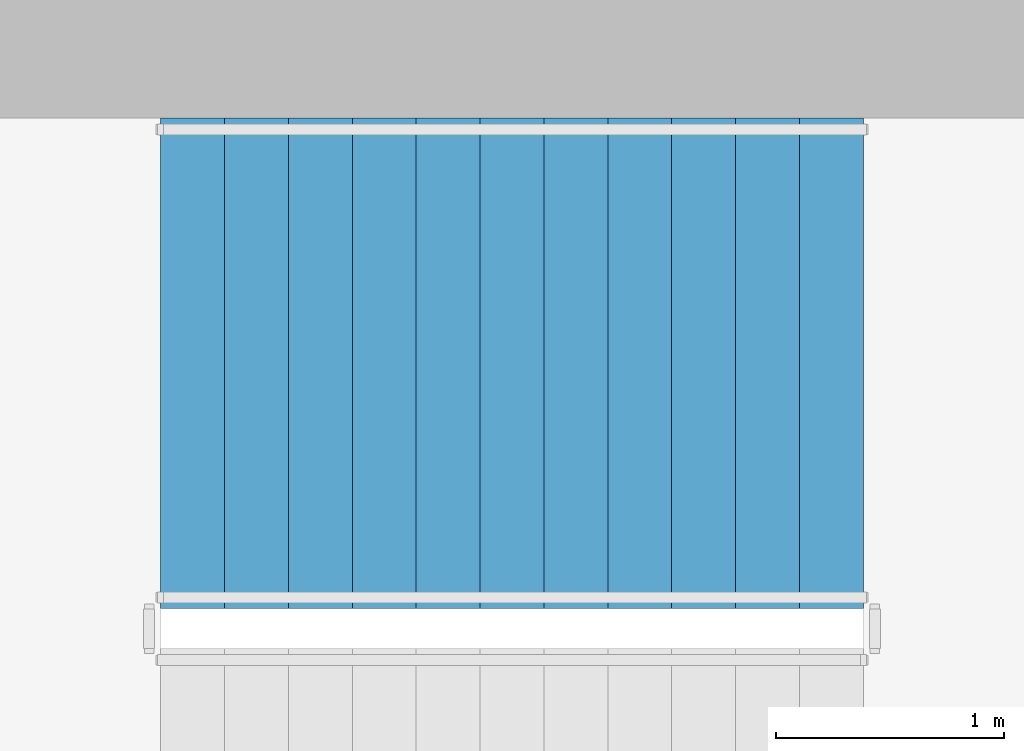
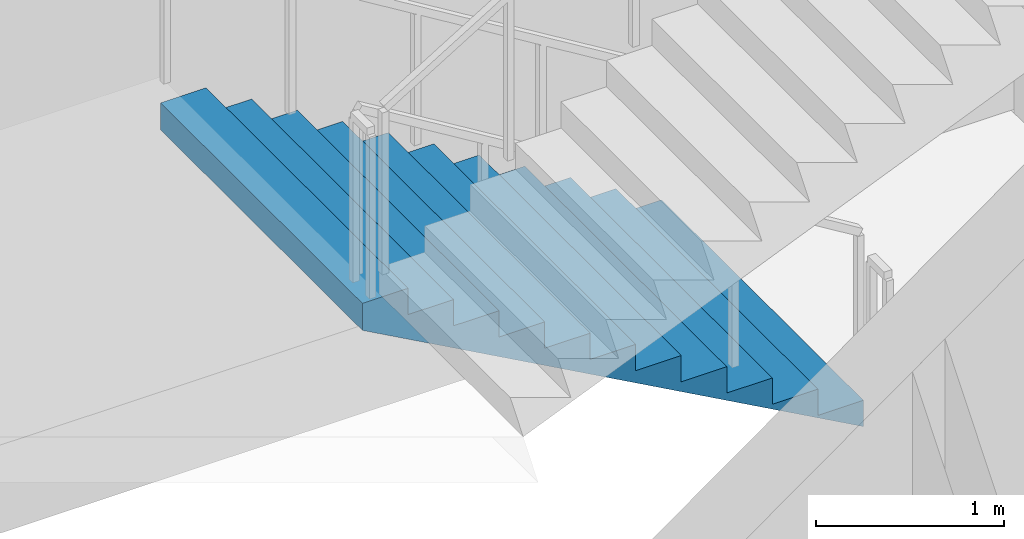
# One storey, part 10 of 15: 1 stair flight, 1 element without a shape of its own.
"""IFC4 building model written with IfcOpenShell, lengths in metres."""

from ifc_helpers import new_model, si_unit, direction, frame, origin, place, context, subcontext, project, spatial, triangles, material, type_object, element, aggregate, save


model = new_model("IFC4")

# Units and contexts
model_context = context("Model", 3, precision=1e-05, world=origin(), true_north=direction((0.0, 1.0)))
body_context = subcontext(model_context, "Body", "Model", "MODEL_VIEW")
ifc_project = project(units=[si_unit("LENGTHUNIT", "METRE"), si_unit("AREAUNIT", "SQUARE_METRE"), si_unit("VOLUMEUNIT", "CUBIC_METRE"), si_unit("PLANEANGLEUNIT", "RADIAN"), si_unit("MASSUNIT", "GRAM", prefix="KILO")], contexts=[model_context])

# Site, building, storey
site_placement = place(None, origin())
site = spatial("IfcSite", under=ifc_project, at=site_placement, CompositionType="ELEMENT")
building_placement = place(site_placement, origin())
building = spatial("IfcBuilding", under=site, at=building_placement, Name="Cypress Arch Tower", CompositionType="ELEMENT")
storey_placement = place(building_placement, frame((0.0, 0.0, 292.60009765625)))
storey = spatial("IfcBuildingStorey", under=building, at=storey_placement, Name="L66", CompositionType="ELEMENT", Elevation=292.60009765625)

# Stair, stair flight
ifc_material_1 = material(Name="Concrete C40/50", Category="concrete")
stair_type = type_object("IfcStairType", Name="Exit stair ES1708-215", PredefinedType="HALF_TURN_STAIR", material=ifc_material_1)
stair_placement = place(storey_placement, origin())
stair = element("IfcStair", 1, at=stair_placement, inside=storey, type_object=stair_type, Name="L66 Exit stair B", PredefinedType="HALF_TURN_STAIR")
ifc_material_2 = material(Name="Concrete C40/50", Category="concrete")
stair_flight_type = type_object("IfcStairFlightType", Name="Exit stair flight ES1708-215", PredefinedType="STRAIGHT", material=ifc_material_2)
stair_flight_placement = place(storey_placement, frame((-22.27490234375, 13.72509765625, 0.0), z_axis=(0.0, 0.0, 1.0), x_axis=(-1.0, 0.0, 0.0)))
stair_flight = element("IfcStairFlight", 2, at=stair_flight_placement, type_object=stair_flight_type, Name="B flight 1", NumberOfRisers=12, NumberOfTreads=11, PredefinedType="STRAIGHT", RiserHeight=0.170833333, TreadLength=0.28, context=body_context, shape_type="Tessellation", body=[
    triangles([(0.0, -1.074951171875, 0.0), (0.000244140625, -1.074951171875, 0.01904296875), (0.000244140625, -1.074951171875, 0.0380859375), (0.00048828125, -1.074951171875, 0.056884765625), (0.00048828125, -1.074951171875, 0.075927734375), (0.00048828125, -1.074951171875, 0.094970703125), (0.00048828125, -1.074951171875, 0.114013671875), (0.000244140625, -1.074951171875, 0.1328125), (0.000244140625, -1.074951171875, 0.15185546875), (0.0, -1.074951171875, 0.1708984375), (0.280029296875, -1.074951171875, 0.1708984375), (0.280029296875, -1.074951171875, 0.341552734375), (0.56005859375, -1.074951171875, 0.341552734375), (0.56005859375, -1.074951171875, 0.512451171875), (0.840087890625, -1.074951171875, 0.512451171875), (0.840087890625, -1.074951171875, 0.683349609375), (1.1201171875, -1.074951171875, 0.683349609375), (1.1201171875, -1.074951171875, 0.854248046875), (1.39990234375, -1.074951171875, 0.854248046875), (1.39990234375, -1.074951171875, 1.02490234375), (1.679931640625, -1.074951171875, 1.02490234375), (1.679931640625, -1.074951171875, 1.19580078125), (1.9599609375, -1.074951171875, 1.19580078125), (1.9599609375, -1.074951171875, 1.36669921875), (2.239990234375, -1.074951171875, 1.36669921875), (2.239990234375, -1.074951171875, 1.53759765625), (2.52001953125, -1.074951171875, 1.53759765625), (2.52001953125, -1.074951171875, 1.708251953125), (2.800048828125, -1.074951171875, 1.708251953125), (2.800048828125, -1.074951171875, 1.879150390625), (3.080078125, -1.074951171875, 1.879150390625), (3.079833984375, -1.074951171875, 1.859619140625), (3.079833984375, -1.074951171875, 1.840087890625), (3.07958984375, -1.074951171875, 1.820556640625), (3.07958984375, -1.074951171875, 1.801025390625), (3.07958984375, -1.074951171875, 1.78173828125), (3.07958984375, -1.074951171875, 1.76220703125), (3.079833984375, -1.074951171875, 1.74267578125), (3.079833984375, -1.074951171875, 1.72314453125), (3.080078125, -1.074951171875, 1.70361328125), (3.080078125, 1.074951171875, 1.70361328125), (3.079833984375, 1.074951171875, 1.72314453125), (3.079833984375, 1.074951171875, 1.74267578125), (3.07958984375, 1.074951171875, 1.76220703125), (3.07958984375, 1.074951171875, 1.78173828125), (3.07958984375, 1.074951171875, 1.801025390625), (3.07958984375, 1.074951171875, 1.820556640625), (3.079833984375, 1.074951171875, 1.840087890625), (3.079833984375, 1.074951171875, 1.859619140625), (3.080078125, 1.074951171875, 1.879150390625), (2.800048828125, 1.074951171875, 1.879150390625), (2.800048828125, 1.074951171875, 1.708251953125), (2.52001953125, 1.074951171875, 1.708251953125), (2.52001953125, 1.074951171875, 1.53759765625), (2.239990234375, 1.074951171875, 1.53759765625), (2.239990234375, 1.074951171875, 1.36669921875), (1.9599609375, 1.074951171875, 1.36669921875), (1.9599609375, 1.074951171875, 1.19580078125), (1.679931640625, 1.074951171875, 1.19580078125), (1.679931640625, 1.074951171875, 1.02490234375), (1.39990234375, 1.074951171875, 1.02490234375), (1.39990234375, 1.074951171875, 0.854248046875), (1.1201171875, 1.074951171875, 0.854248046875), (1.1201171875, 1.074951171875, 0.683349609375), (0.840087890625, 1.074951171875, 0.683349609375), (0.840087890625, 1.074951171875, 0.512451171875), (0.56005859375, 1.074951171875, 0.512451171875), (0.56005859375, 1.074951171875, 0.341552734375), (0.280029296875, 1.074951171875, 0.341552734375), (0.280029296875, 1.074951171875, 0.1708984375), (0.0, 1.074951171875, 0.1708984375), (0.000244140625, 1.074951171875, 0.15185546875), (0.000244140625, 1.074951171875, 0.1328125), (0.00048828125, 1.074951171875, 0.114013671875), (0.00048828125, 1.074951171875, 0.094970703125), (0.00048828125, 1.074951171875, 0.075927734375), (0.00048828125, 1.074951171875, 0.056884765625), (0.000244140625, 1.074951171875, 0.0380859375), (0.000244140625, 1.074951171875, 0.01904296875), (0.0, 1.074951171875, 0.0)], [[40, 39, 30], [39, 38, 30], [38, 37, 30], [37, 36, 30], [36, 35, 30], [35, 34, 30], [34, 33, 30], [33, 32, 30], [32, 31, 30], [19, 18, 17], [27, 26, 25], [25, 24, 23], [23, 22, 21], [17, 16, 15], [15, 14, 13], [10, 9, 11], [9, 8, 11], [8, 7, 11], [7, 6, 11], [6, 5, 11], [5, 4, 11], [4, 3, 11], [3, 2, 11], [2, 1, 11], [29, 28, 27], [21, 20, 19], [13, 12, 11], [40, 30, 29], [40, 29, 27], [40, 27, 25], [40, 25, 23], [40, 23, 21], [40, 21, 19], [40, 19, 17], [40, 17, 15], [40, 15, 13], [1, 40, 13], [13, 11, 1], [41, 51, 42], [42, 51, 43], [43, 51, 44], [44, 51, 45], [45, 51, 46], [46, 51, 47], [47, 51, 48], [48, 51, 49], [49, 51, 50], [62, 64, 63], [54, 56, 55], [56, 58, 57], [58, 60, 59], [64, 66, 65], [66, 68, 67], [71, 70, 72], [72, 70, 73], [73, 70, 74], [74, 70, 75], [75, 70, 76], [76, 70, 77], [77, 70, 78], [78, 70, 79], [79, 70, 80], [52, 54, 53], [60, 62, 61], [68, 70, 69], [41, 52, 51], [41, 54, 52], [41, 56, 54], [41, 58, 56], [41, 60, 58], [41, 62, 60], [41, 64, 62], [41, 66, 64], [41, 68, 66], [80, 68, 41], [68, 80, 70], [41, 42, 39], [41, 39, 40], [42, 43, 38], [42, 38, 39], [43, 44, 37], [43, 37, 38], [44, 45, 36], [44, 36, 37], [45, 46, 35], [45, 35, 36], [46, 47, 34], [46, 34, 35], [47, 48, 33], [47, 33, 34], [48, 49, 32], [48, 32, 33], [49, 50, 31], [49, 31, 32], [50, 51, 30], [50, 30, 31], [51, 52, 29], [51, 29, 30], [52, 53, 28], [52, 28, 29], [53, 54, 27], [53, 27, 28], [54, 55, 26], [54, 26, 27], [55, 56, 25], [55, 25, 26], [56, 57, 24], [56, 24, 25], [57, 58, 23], [57, 23, 24], [58, 59, 22], [58, 22, 23], [59, 60, 21], [59, 21, 22], [60, 61, 20], [60, 20, 21], [61, 62, 19], [61, 19, 20], [62, 63, 18], [62, 18, 19], [63, 64, 17], [63, 17, 18], [64, 65, 16], [64, 16, 17], [65, 66, 15], [65, 15, 16], [66, 67, 14], [66, 14, 15], [67, 68, 13], [67, 13, 14], [68, 69, 12], [68, 12, 13], [69, 70, 11], [69, 11, 12], [70, 71, 10], [70, 10, 11], [71, 72, 9], [71, 9, 10], [72, 73, 8], [72, 8, 9], [73, 74, 7], [73, 7, 8], [74, 75, 6], [74, 6, 7], [75, 76, 5], [75, 5, 6], [76, 77, 4], [76, 4, 5], [77, 78, 3], [77, 3, 4], [78, 79, 2], [78, 2, 3], [79, 80, 1], [79, 1, 2], [80, 41, 40], [80, 40, 1]], closed=True),
])
aggregate(stair, [stair_flight])

save(model, "model.ifc")
